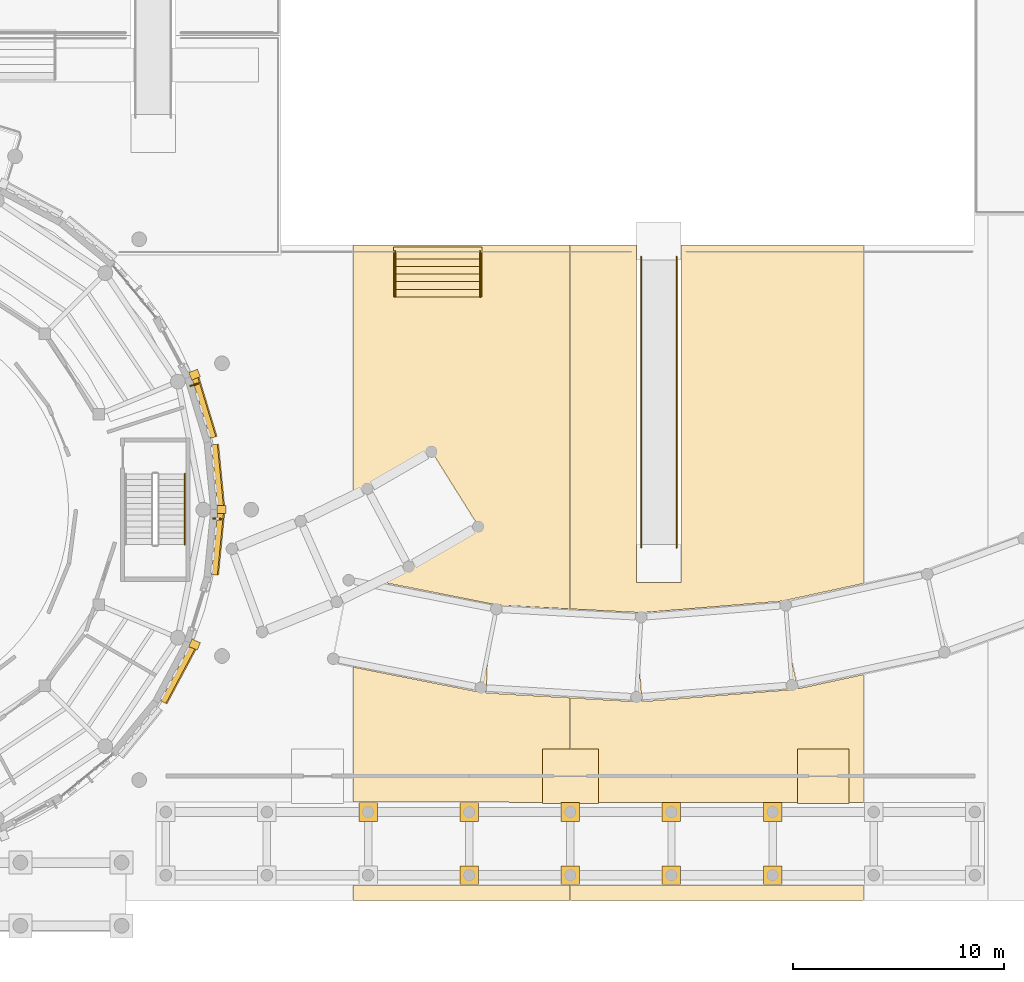
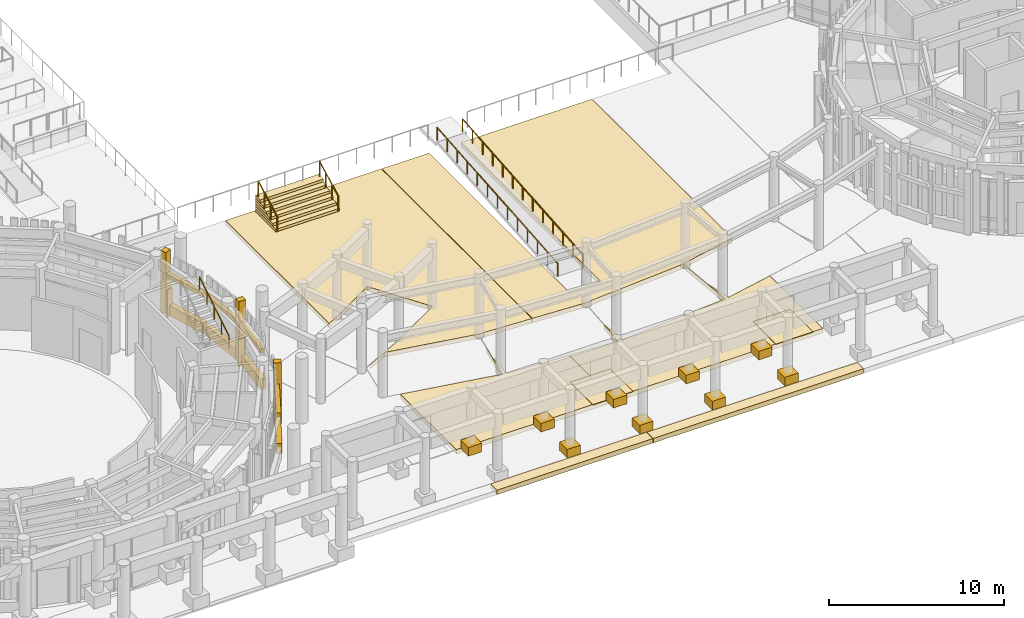
# One storey, part 77 of 94: 33 coverings, 5 railings, 2 shading devices.
"""IFC4 building model written with IfcOpenShell, lengths in metres."""

from ifc_helpers import new_model, si_unit, direction, frame, origin, origin_2d, place, context, subcontext, project, spatial, polyline, rectangle, circle, outline, extrude, material, layer, layer_set, type_object, element, save


model = new_model("IFC4")

# Units and contexts
model_context = context("Model", 3, precision=1e-05, world=origin(), true_north=direction((0.0, 1.0)))
body_context = subcontext(model_context, "Body", "Model", "MODEL_VIEW")
ifc_project = project(units=[si_unit("LENGTHUNIT", "METRE"), si_unit("AREAUNIT", "SQUARE_METRE"), si_unit("VOLUMEUNIT", "CUBIC_METRE"), si_unit("PLANEANGLEUNIT", "RADIAN"), si_unit("MASSUNIT", "GRAM", prefix="KILO")], contexts=[model_context])

# Site, building, storey
site_placement = place(None, origin())
site = spatial("IfcSite", under=ifc_project, at=site_placement, CompositionType="ELEMENT")
building_placement = place(site_placement, origin())
building = spatial("IfcBuilding", under=site, at=building_placement, Name="Aldenvaro Health Centre", CompositionType="ELEMENT")
storey_placement = place(building_placement, origin())
storey = spatial("IfcBuildingStorey", under=building, at=storey_placement, Name="L00", CompositionType="ELEMENT", Elevation=0.0)

# Coverings
ifc_material_1 = material(Name="Honed Sonoran Buff Limestone", Category="masonry")
ifc_layer_1 = layer(ifc_material_1, 0.280029296875, Name="Honed Sonoran Buff Limestone", Category="masonry")
ifc_layer_set_1 = layer_set([ifc_layer_1], Name="Honed Sonoran Buff Limestone")
covering_type_1 = type_object("IfcCoveringType", Name="COV-CRN-STN", PredefinedType="CLADDING", material=ifc_layer_set_1)
covering_1_placement = place(storey_placement, frame((103.5810546875, 18.366943359375, 0.0), z_axis=(0.0, 0.0, 1.0), x_axis=(-0.097994340783, -0.995186971968, 0.0)))
element("IfcCovering", 1, at=covering_1_placement, inside=storey, type_object=covering_type_1, Name="D1 L00 Rusticated Limestone Plinth 1.1", PredefinedType="CLADDING", context=body_context, shape_type="SweptSolid", body=[
    extrude(rectangle(XDim=2.93408203125, YDim=0.340087890625, at=origin_2d()), origin(), (0.0, 0.0, 1.0), 0.719970703125),
])
covering_2_placement = place(storey_placement, frame((103.551025390625, 18.3701171875, 2.5498046875), z_axis=(0.0, 0.0, 1.0), x_axis=(-0.097994340783, -0.995186971968, 0.0)))
element("IfcCovering", 2, at=covering_2_placement, inside=storey, type_object=covering_type_1, Name="D1 L00 Rusticated Limestone Plinth 1.2", PredefinedType="CLADDING", context=body_context, shape_type="SweptSolid", body=[
    extrude(rectangle(XDim=2.93408203125, YDim=0.280029296875, at=origin_2d()), origin(), (0.0, 0.0, 1.0), 0.280029296875),
])
covering_3_placement = place(storey_placement, frame((103.739990234375, 20.0, -0.00048828125), z_axis=(0.0, 0.0, 1.0), x_axis=(1.0, 0.0, 0.0)))
element("IfcCovering", 3, at=covering_3_placement, inside=storey, type_object=covering_type_1, Name="D1 L00 Engaged Classical Limestone Pilaster 01", PredefinedType="CLADDING", context=body_context, shape_type="SweptSolid", body=[
    extrude(rectangle(XDim=0.43994140625, YDim=0.3798828125, at=origin_2d()), origin(), (0.0, 0.0, 1.0), 4.304931640625),
])
covering_4_placement = place(storey_placement, frame((101.694091796875, 12.14599609375, 0.0), z_axis=(0.0, 0.0, 1.0), x_axis=(-0.471556629455, -0.88183578132, 0.0)))
element("IfcCovering", 4, at=covering_4_placement, inside=storey, type_object=covering_type_1, Name="D1 L00 Rusticated Limestone Plinth 3.1", PredefinedType="CLADDING", context=body_context, shape_type="SweptSolid", body=[
    extrude(rectangle(XDim=2.93505859375, YDim=0.340087890625, at=origin_2d()), origin(), (0.0, 0.0, 1.0), 0.719970703125),
])
covering_5_placement = place(storey_placement, frame((101.6669921875, 12.159912109375, 2.5498046875), z_axis=(0.0, 0.0, 1.0), x_axis=(-0.471556629455, -0.88183578132, 0.0)))
element("IfcCovering", 5, at=covering_5_placement, inside=storey, type_object=covering_type_1, Name="D1 L00 Rusticated Limestone Plinth 3.2", PredefinedType="CLADDING", context=body_context, shape_type="SweptSolid", body=[
    extrude(rectangle(XDim=2.93505859375, YDim=0.280029296875, at=origin_2d()), origin(), (0.0, 0.0, 1.0), 0.280029296875),
])
covering_6_placement = place(storey_placement, frame((102.466064453125, 13.593994140625, -0.00048828125), z_axis=(0.0, 0.0, 1.0), x_axis=(0.923883065715, -0.382674902345, 0.0)))
element("IfcCovering", 6, at=covering_6_placement, inside=storey, type_object=covering_type_1, Name="D1 L00 Engaged Classical Limestone Pilaster 02", PredefinedType="CLADDING", context=body_context, shape_type="SweptSolid", body=[
    extrude(rectangle(XDim=0.43994140625, YDim=0.3798828125, at=origin_2d()), origin(), (0.0, 0.0, 1.0), 4.304931640625),
])
covering_7_placement = place(storey_placement, frame((102.944091796875, 24.8359375, 0.0), z_axis=(0.0, 0.0, 1.0), x_axis=(0.290171396605, -0.95697469172, 0.0)))
element("IfcCovering", 7, at=covering_7_placement, inside=storey, type_object=covering_type_1, Name="D1 L00 Rusticated Limestone Plinth 31.1", PredefinedType="CLADDING", context=body_context, shape_type="SweptSolid", body=[
    extrude(rectangle(XDim=2.93505859375, YDim=0.340087890625, at=origin_2d()), origin(), (0.0, 0.0, 1.0), 0.719970703125),
])
covering_8_placement = place(storey_placement, frame((102.9150390625, 24.826904296875, 2.5498046875), z_axis=(0.0, 0.0, 1.0), x_axis=(0.290171396605, -0.95697469172, 0.0)))
element("IfcCovering", 8, at=covering_8_placement, inside=storey, type_object=covering_type_1, Name="D1 L00 Rusticated Limestone Plinth 31.2", PredefinedType="CLADDING", context=body_context, shape_type="SweptSolid", body=[
    extrude(rectangle(XDim=2.93505859375, YDim=0.280029296875, at=origin_2d()), origin(), (0.0, 0.0, 1.0), 0.280029296875),
])
covering_9_placement = place(storey_placement, frame((102.466064453125, 26.406005859375, -0.00048828125), z_axis=(0.0, 0.0, 1.0), x_axis=(0.923883065715, 0.382674902345, 0.0)))
element("IfcCovering", 9, at=covering_9_placement, inside=storey, type_object=covering_type_1, Name="D1 L00 Engaged Classical Limestone Pilaster 16", PredefinedType="CLADDING", context=body_context, shape_type="SweptSolid", body=[
    extrude(rectangle(XDim=0.43994140625, YDim=0.3798828125, at=origin_2d()), origin(), (0.0, 0.0, 1.0), 4.304931640625),
])
covering_10_placement = place(storey_placement, frame((103.5810546875, 21.633056640625, 0.0), z_axis=(0.0, 0.0, 1.0), x_axis=(0.097994340783, -0.995186971968, 0.0)))
element("IfcCovering", 10, at=covering_10_placement, inside=storey, type_object=covering_type_1, Name="D1 L00 Rusticated Limestone Plinth 32.1", PredefinedType="CLADDING", context=body_context, shape_type="SweptSolid", body=[
    extrude(rectangle(XDim=2.93408203125, YDim=0.340087890625, at=origin_2d()), origin(), (0.0, 0.0, 1.0), 0.719970703125),
])
covering_11_placement = place(storey_placement, frame((103.551025390625, 21.6298828125, 2.5498046875), z_axis=(0.0, 0.0, 1.0), x_axis=(0.097994340783, -0.995186971968, 0.0)))
element("IfcCovering", 11, at=covering_11_placement, inside=storey, type_object=covering_type_1, Name="D1 L00 Rusticated Limestone Plinth 32.2", PredefinedType="CLADDING", context=body_context, shape_type="SweptSolid", body=[
    extrude(rectangle(XDim=2.93408203125, YDim=0.280029296875, at=origin_2d()), origin(), (0.0, 0.0, 1.0), 0.280029296875),
])
covering_12_placement = place(storey_placement, frame((0.0, 0.0, -0.320068359375)))
element("IfcCovering", 12, at=covering_12_placement, inside=storey, type_object=covering_type_1, Name="Classical Terrace Grand Stair GST-C2 Solid Stone Carriage", PredefinedType="CLADDING", context=body_context, shape_type="SweptSolid", body=[
    extrude(outline(polyline([(111.89990234375, 30.10009765625), (116.10009765625, 30.10009765625), (116.10009765625, 32.4599609375), (111.89990234375, 32.4599609375), (111.89990234375, 30.10009765625)])), origin(), (0.0, 0.0, 1.0), 0.511962890625),
])
for number, where, z_axis, x_axis, name in (
    (13, (110.699951171875, 5.64990234375, 0.0), (0.0, 0.0, 1.0), (1.0, 0.0, 0.0), "South Stoa Classical Column Plinth 24"),
    (14, (115.5, 2.64990234375, 0.0), (0.0, 0.0, 1.0), (1.0, 0.0, 0.0), "South Stoa Classical Column Plinth 25"),
    (15, (115.5, 5.64990234375, 0.0), (0.0, 0.0, 1.0), (1.0, 0.0, 0.0), "South Stoa Classical Column Plinth 26"),
    (16, (120.300048828125, 2.64990234375, 0.0), (0.0, 0.0, 1.0), (1.0, 0.0, 0.0), "South Stoa Classical Column Plinth 27"),
    (17, (120.300048828125, 5.64990234375, 0.0), (0.0, 0.0, 1.0), (1.0, 0.0, 0.0), "South Stoa Classical Column Plinth 28"),
    (18, (125.10009765625, 2.64990234375, 0.0), (0.0, 0.0, 1.0), (1.0, 0.0, 0.0), "South Stoa Classical Column Plinth 29"),
    (19, (125.10009765625, 5.64990234375, 0.0), (0.0, 0.0, 1.0), (1.0, 0.0, 0.0), "South Stoa Classical Column Plinth 30"),
    (20, (129.89990234375, 2.64990234375, 0.0), (0.0, 0.0, 1.0), (1.0, 0.0, 0.0), "South Stoa Classical Column Plinth 31"),
    (21, (129.89990234375, 5.64990234375, 0.0), (0.0, 0.0, 1.0), (1.0, 0.0, 0.0), "South Stoa Classical Column Plinth 32"),
):
    element("IfcCovering", number, at=place(storey_placement, frame(where, z_axis=z_axis, x_axis=x_axis)), inside=storey, type_object=covering_type_1, Name=name, PredefinedType="CLADDING", context=body_context, shape_type="SweptSolid", body=[
        extrude(rectangle(XDim=0.8798828125, YDim=0.8798828125, at=origin_2d()), origin(), (0.0, 0.0, 1.0), 0.60009765625),
    ])
ifc_material_2 = material(Name="Honed Arizona Limestone Walk", Category="masonry")
ifc_layer_2 = layer(ifc_material_2, 0.06005859375, Name="Honed Arizona Limestone Walk", Category="masonry")
ifc_layer_set_2 = layer_set([ifc_layer_2], Name="Honed Arizona Limestone Walk")
covering_type_2 = type_object("IfcCoveringType", Name="COV-GDN-PATH", PredefinedType="FLOORING", material=ifc_layer_set_2)
covering_13_placement = place(storey_placement, origin())
element("IfcCovering", 22, at=covering_13_placement, inside=storey, type_object=covering_type_2, Name="Therapy Garden Security Gate Threshold Apron 5", PredefinedType="FLOORING", context=body_context, shape_type="SweptSolid", body=[
    extrude(outline(polyline([(118.97607421875, 6.050048828125), (121.6259765625, 6.050048828125), (121.6259765625, 8.64990234375), (118.97607421875, 8.64990234375), (118.97607421875, 6.050048828125)])), origin(), (0.0, 0.0, 1.0), 0.0400390625),
])
covering_14_placement = place(storey_placement, origin())
element("IfcCovering", 23, at=covering_14_placement, inside=storey, type_object=covering_type_2, Name="Therapy Garden Security Gate Threshold Apron 6", PredefinedType="FLOORING", context=body_context, shape_type="SweptSolid", body=[
    extrude(outline(polyline([(131.075927734375, 6.050048828125), (133.52587890625, 6.050048828125), (133.52587890625, 8.64990234375), (131.075927734375, 8.64990234375), (131.075927734375, 6.050048828125)])), origin(), (0.0, 0.0, 1.0), 0.0400390625),
])
ifc_material_3 = material(Name="Honed Sonoran Buff Travertine", Category="masonry")
ifc_layer_3 = layer(ifc_material_3, 0.320068359375, Name="Honed Sonoran Buff Travertine", Category="masonry")
ifc_layer_set_3 = layer_set([ifc_layer_3], Name="Honed Sonoran Buff Travertine")
covering_type_3 = type_object("IfcCoveringType", Name="COV-POD-320", PredefinedType="FLOORING", material=ifc_layer_set_3)
covering_15_placement = place(storey_placement, frame((0.0, 0.0, -0.320068359375)))
element("IfcCovering", 24, at=covering_15_placement, inside=storey, type_object=covering_type_3, Name="South Street Entrance Stylobate Forecourt Section 8", PredefinedType="FLOORING", context=body_context, shape_type="SweptSolid", body=[
    extrude(outline(polyline([(120.283935546875, 32.550048828125), (120.283935546875, 15.291015625), (116.843994140625, 15.472900390625), (111.257080078125, 16.5859375), (109.985107421875, 15.9619140625), (112.64208984375, 17.27294921875), (115.9541015625, 19.196044921875), (113.708984375, 22.778076171875), (110.6669921875, 21.01806640625), (109.985107421875, 20.68505859375), (109.985107421875, 32.550048828125), (120.283935546875, 32.550048828125)])), origin(), (0.0, 0.0, 1.0), 0.320068359375),
])
covering_16_placement = place(storey_placement, frame((0.0, 0.0, -0.320068359375)))
element("IfcCovering", 25, at=covering_16_placement, inside=storey, type_object=covering_type_3, Name="South Street Entrance Stylobate Forecourt Section 9", PredefinedType="FLOORING", context=body_context, shape_type="SweptSolid", body=[
    extrude(outline(polyline([(116.02001953125, 11.3330078125), (116.573974609375, 14.095947265625), (116.383056640625, 13.1201171875), (116.2958984375, 11.297119140625), (120.283935546875, 11.068115234375), (120.283935546875, 6.111083984375), (109.985107421875, 6.115966796875), (109.985107421875, 12.527099609375), (116.02001953125, 11.3330078125)])), origin(), (0.0, 0.0, 1.0), 0.320068359375),
])
covering_17_placement = place(storey_placement, frame((0.0, 0.0, -0.320068359375)))
element("IfcCovering", 26, at=covering_17_placement, inside=storey, type_object=covering_type_3, Name="South Street Entrance Stylobate Forecourt Section 10", PredefinedType="FLOORING", context=body_context, shape_type="SweptSolid", body=[
    extrude(outline(polyline([(120.283935546875, 2.18310546875), (120.283935546875, 1.449951171875), (109.985107421875, 1.449951171875), (109.985107421875, 2.18408203125), (120.283935546875, 2.18310546875)])), origin(), (0.0, 0.0, 1.0), 0.320068359375),
])
covering_18_placement = place(storey_placement, frame((0.0, 0.0, -0.320068359375)))
element("IfcCovering", 27, at=covering_18_placement, inside=storey, type_object=covering_type_3, Name="South Street Entrance Stylobate Forecourt Section 11", PredefinedType="FLOORING", context=body_context, shape_type="SweptSolid", body=[
    extrude(outline(polyline([(125.550048828125, 16.5400390625), (125.56005859375, 32.550048828125), (134.2109375, 32.550048828125), (134.2109375, 16.5), (130.528076171875, 15.698974609375), (130.7119140625, 13.27294921875), (131.10205078125, 11.498046875), (134.2109375, 12.172119140625), (134.2109375, 6.10498046875), (120.31396484375, 6.111083984375), (120.31396484375, 11.06591796875), (123.43408203125, 10.886962890625), (123.552978515625, 12.708984375), (123.7109375, 10.888916015625), (130.85107421875, 11.458984375), (130.513916015625, 15.674072265625), (123.68701171875, 15.112060546875), (120.31396484375, 15.2900390625), (120.31396484375, 32.550048828125), (123.43994140625, 32.550048828125), (123.43994140625, 16.549072265625), (125.550048828125, 16.5400390625)])), origin(), (0.0, 0.0, 1.0), 0.320068359375),
])
covering_19_placement = place(storey_placement, frame((0.0, 0.0, -0.320068359375)))
element("IfcCovering", 28, at=covering_19_placement, inside=storey, type_object=covering_type_3, Name="South Street Entrance Stylobate Forecourt Section 12", PredefinedType="FLOORING", context=body_context, shape_type="SweptSolid", body=[
    extrude(outline(polyline([(120.31396484375, 1.449951171875), (120.31396484375, 2.18310546875), (134.2109375, 2.180908203125), (134.2109375, 1.449951171875), (120.31396484375, 1.449951171875)])), origin(), (0.0, 0.0, 1.0), 0.320068359375),
])
covering_20_placement = place(storey_placement, frame((0.0, 0.0, 0.19189453125)))
element("IfcCovering", 29, at=covering_20_placement, inside=storey, type_object=covering_type_3, Name="Classical Terrace Grand Stair GST-C2 Stone Step 2", PredefinedType="FLOORING", context=body_context, shape_type="SweptSolid", body=[
    extrude(outline(polyline([(111.89990234375, 30.4599609375), (116.10009765625, 30.4599609375), (116.10009765625, 32.4599609375), (111.89990234375, 32.4599609375), (111.89990234375, 30.4599609375)])), origin(), (0.0, 0.0, 1.0), 0.191162109375),
])
covering_21_placement = place(storey_placement, frame((0.0, 0.0, 0.383056640625)))
element("IfcCovering", 30, at=covering_21_placement, inside=storey, type_object=covering_type_3, Name="Classical Terrace Grand Stair GST-C2 Stone Step 3", PredefinedType="FLOORING", context=body_context, shape_type="SweptSolid", body=[
    extrude(outline(polyline([(111.89990234375, 30.820068359375), (116.10009765625, 30.820068359375), (116.10009765625, 32.4599609375), (111.89990234375, 32.4599609375), (111.89990234375, 30.820068359375)])), origin(), (0.0, 0.0, 1.0), 0.19189453125),
])
covering_22_placement = place(storey_placement, frame((0.0, 0.0, 0.574951171875)))
element("IfcCovering", 31, at=covering_22_placement, inside=storey, type_object=covering_type_3, Name="Classical Terrace Grand Stair GST-C2 Stone Step 4", PredefinedType="FLOORING", context=body_context, shape_type="SweptSolid", body=[
    extrude(outline(polyline([(111.89990234375, 31.179931640625), (116.10009765625, 31.179931640625), (116.10009765625, 32.4599609375), (111.89990234375, 32.4599609375), (111.89990234375, 31.179931640625)])), origin(), (0.0, 0.0, 1.0), 0.192138671875),
])
covering_23_placement = place(storey_placement, frame((0.0, 0.0, 0.76708984375)))
element("IfcCovering", 32, at=covering_23_placement, inside=storey, type_object=covering_type_3, Name="Classical Terrace Grand Stair GST-C2 Stone Step 5", PredefinedType="FLOORING", context=body_context, shape_type="SweptSolid", body=[
    extrude(outline(polyline([(111.89990234375, 31.5400390625), (116.10009765625, 31.5400390625), (116.10009765625, 32.4599609375), (111.89990234375, 32.4599609375), (111.89990234375, 31.5400390625)])), origin(), (0.0, 0.0, 1.0), 0.19091796875),
])
covering_24_placement = place(storey_placement, frame((0.0, 0.0, 0.9580078125)))
element("IfcCovering", 33, at=covering_24_placement, inside=storey, type_object=covering_type_3, Name="Classical Terrace Grand Stair GST-C2 Stone Step 6", PredefinedType="FLOORING", context=body_context, shape_type="SweptSolid", body=[
    extrude(outline(polyline([(111.89990234375, 31.89990234375), (116.10009765625, 31.89990234375), (116.10009765625, 32.4599609375), (111.89990234375, 32.4599609375), (111.89990234375, 31.89990234375)])), origin(), (0.0, 0.0, 1.0), 0.19189453125),
])

# Railings
ifc_material_4 = material(Name="Painted Architectural Steel", Category="steel")
railing_type_1 = type_object("IfcRailingType", Name="RL-BAL-110", PredefinedType="GUARDRAIL", material=ifc_material_4)
for number, where, name in (
    (34, (111.97998046875, 30.10009765625, 0.0), "Classical Terrace Grand Stair GST-C2 Balustrade W"),
    (35, (116.02001953125, 30.10009765625, 0.0), "Classical Terrace Grand Stair GST-C2 Balustrade E"),
):
    element("IfcRailing", number, at=place(storey_placement, frame(where)), inside=storey, type_object=railing_type_1, Name=name, PredefinedType="GUARDRAIL", context=body_context, shape_type="SweptSolid", body=[
        extrude(circle(Radius=0.02392578125, at=origin_2d()), frame((0.0, 0.0, 1.076171875), z_axis=(0.0, 0.882700700626, 0.469935605284), x_axis=(-1.0, 0.0, 0.0)), (0.0, 0.0, 1.0), 2.447021484375),
        extrude(circle(Radius=0.02099609375, at=origin_2d()), origin(), (0.0, 0.0, 1.0), 1.052001953125),
        extrude(circle(Radius=0.02099609375, at=origin_2d()), frame((0.0, 0.719970703125, 0.38330078125)), (0.0, 0.0, 1.0), 1.052001953125),
        extrude(circle(Radius=0.02099609375, at=origin_2d()), frame((0.0, 1.43994140625, 0.7666015625)), (0.0, 0.0, 1.0), 1.052001953125),
        extrude(circle(Radius=0.02099609375, at=origin_2d()), frame((0.0, 2.159912109375, 1.14990234375)), (0.0, 0.0, 1.0), 1.052001953125),
    ])
railing_type_2 = type_object("IfcRailingType", Name="RL-HND-092", PredefinedType="HANDRAIL", material=ifc_material_4)
railing_1_placement = place(storey_placement, frame((123.659912109375, 18.199951171875, 0.0)))
element("IfcRailing", 36, at=railing_1_placement, inside=storey, type_object=railing_type_2, Name="Stepped Foothill Ramp 3 Handrail L", PredefinedType="HANDRAIL", context=body_context, shape_type="SweptSolid", body=[
    extrude(circle(Radius=0.02392578125, at=origin_2d()), frame((0.0, 0.0, 0.89599609375), z_axis=(0.0, 0.996546366156, 0.083038184601), x_axis=(-1.0, 0.0, 0.0)), (0.0, 0.0, 1.0), 13.847900390625),
    extrude(circle(Radius=0.02099609375, at=origin_2d()), origin(), (0.0, 0.0, 1.0), 0.871826171875),
    extrude(circle(Radius=0.02099609375, at=origin_2d()), frame((0.0, 1.14990234375, 0.095703125)), (0.0, 0.0, 1.0), 0.871826171875),
    extrude(circle(Radius=0.02099609375, at=origin_2d()), frame((0.0, 2.300048828125, 0.191650390625)), (0.0, 0.0, 1.0), 0.871826171875),
    extrude(circle(Radius=0.02099609375, at=origin_2d()), frame((0.0, 3.449951171875, 0.28759765625)), (0.0, 0.0, 1.0), 0.871826171875),
    extrude(circle(Radius=0.02099609375, at=origin_2d()), frame((0.0, 4.60009765625, 0.38330078125)), (0.0, 0.0, 1.0), 0.871826171875),
    extrude(circle(Radius=0.02099609375, at=origin_2d()), frame((0.0, 5.75, 0.47900390625)), (0.0, 0.0, 1.0), 0.871826171875),
    extrude(circle(Radius=0.02099609375, at=origin_2d()), frame((0.0, 6.89990234375, 0.574951171875)), (0.0, 0.0, 1.0), 0.871826171875),
    extrude(circle(Radius=0.02099609375, at=origin_2d()), frame((0.0, 8.050048828125, 0.6708984375)), (0.0, 0.0, 1.0), 0.871826171875),
    extrude(circle(Radius=0.02099609375, at=origin_2d()), frame((0.0, 9.199951171875, 0.7666015625)), (0.0, 0.0, 1.0), 0.871826171875),
    extrude(circle(Radius=0.02099609375, at=origin_2d()), frame((0.0, 10.35009765625, 0.8623046875)), (0.0, 0.0, 1.0), 0.871826171875),
    extrude(circle(Radius=0.02099609375, at=origin_2d()), frame((0.0, 11.5, 0.958251953125)), (0.0, 0.0, 1.0), 0.871826171875),
    extrude(circle(Radius=0.02099609375, at=origin_2d()), frame((0.0, 12.650146484375, 1.05419921875)), (0.0, 0.0, 1.0), 0.871826171875),
    extrude(circle(Radius=0.02099609375, at=origin_2d()), frame((0.0, 13.800048828125, 1.14990234375)), (0.0, 0.0, 1.0), 0.871826171875),
])
railing_2_placement = place(storey_placement, frame((125.340087890625, 18.199951171875, 0.0)))
element("IfcRailing", 37, at=railing_2_placement, inside=storey, type_object=railing_type_2, Name="Stepped Foothill Ramp 3 Handrail R", PredefinedType="HANDRAIL", context=body_context, shape_type="SweptSolid", body=[
    extrude(circle(Radius=0.02392578125, at=origin_2d()), frame((0.0, 0.0, 0.89599609375), z_axis=(0.0, 0.996546366156, 0.083038184601), x_axis=(-1.0, 0.0, 0.0)), (0.0, 0.0, 1.0), 13.847900390625),
    extrude(circle(Radius=0.02099609375, at=origin_2d()), origin(), (0.0, 0.0, 1.0), 0.871826171875),
    extrude(circle(Radius=0.02099609375, at=origin_2d()), frame((0.0, 1.14990234375, 0.095703125)), (0.0, 0.0, 1.0), 0.871826171875),
    extrude(circle(Radius=0.02099609375, at=origin_2d()), frame((0.0, 2.300048828125, 0.191650390625)), (0.0, 0.0, 1.0), 0.871826171875),
    extrude(circle(Radius=0.02099609375, at=origin_2d()), frame((0.0, 3.449951171875, 0.28759765625)), (0.0, 0.0, 1.0), 0.871826171875),
    extrude(circle(Radius=0.02099609375, at=origin_2d()), frame((0.0, 4.60009765625, 0.38330078125)), (0.0, 0.0, 1.0), 0.871826171875),
    extrude(circle(Radius=0.02099609375, at=origin_2d()), frame((0.0, 5.75, 0.47900390625)), (0.0, 0.0, 1.0), 0.871826171875),
    extrude(circle(Radius=0.02099609375, at=origin_2d()), frame((0.0, 6.89990234375, 0.574951171875)), (0.0, 0.0, 1.0), 0.871826171875),
    extrude(circle(Radius=0.02099609375, at=origin_2d()), frame((0.0, 8.050048828125, 0.6708984375)), (0.0, 0.0, 1.0), 0.871826171875),
    extrude(circle(Radius=0.02099609375, at=origin_2d()), frame((0.0, 9.199951171875, 0.7666015625)), (0.0, 0.0, 1.0), 0.871826171875),
    extrude(circle(Radius=0.02099609375, at=origin_2d()), frame((0.0, 10.35009765625, 0.8623046875)), (0.0, 0.0, 1.0), 0.871826171875),
    extrude(circle(Radius=0.02099609375, at=origin_2d()), frame((0.0, 11.5, 0.958251953125)), (0.0, 0.0, 1.0), 0.871826171875),
    extrude(circle(Radius=0.02099609375, at=origin_2d()), frame((0.0, 12.650146484375, 1.05419921875)), (0.0, 0.0, 1.0), 0.871826171875),
    extrude(circle(Radius=0.02099609375, at=origin_2d()), frame((0.0, 13.800048828125, 1.14990234375)), (0.0, 0.0, 1.0), 0.871826171875),
])
railing_type_3 = type_object("IfcRailingType", Name="RL-HND-INT", PredefinedType="HANDRAIL", material=ifc_material_4)
railing_3_placement = place(storey_placement, frame((102.0, 18.340087890625, 2.449951171875)))
element("IfcRailing", 38, at=railing_3_placement, inside=storey, type_object=railing_type_3, Name="L00 ST-02 stair handrail 2", PredefinedType="HANDRAIL", context=body_context, shape_type="SweptSolid", body=[
    extrude(circle(Radius=0.02392578125, at=origin_2d()), frame((0.0, 0.0, 0.8759765625), z_axis=(0.0, 0.847977533471, 0.530032171408), x_axis=(-1.0, 0.0, 0.0)), (0.0, 0.0, 1.0), 3.962158203125),
    extrude(circle(Radius=0.02099609375, at=origin_2d()), origin(), (0.0, 0.0, 1.0), 0.851806640625),
    extrude(circle(Radius=0.02099609375, at=origin_2d()), frame((0.0, 0.83984375, 0.52490234375)), (0.0, 0.0, 1.0), 0.851806640625),
    extrude(circle(Radius=0.02099609375, at=origin_2d()), frame((0.0, 1.679931640625, 1.050048828125)), (0.0, 0.0, 1.0), 0.851806640625),
    extrude(circle(Radius=0.02099609375, at=origin_2d()), frame((0.0, 2.52001953125, 1.5751953125)), (0.0, 0.0, 1.0), 0.851806640625),
    extrude(circle(Radius=0.02099609375, at=origin_2d()), frame((0.0, 3.35986328125, 2.10009765625)), (0.0, 0.0, 1.0), 0.851806640625),
])

# Shading devices
ifc_material_5 = material(Name="Douglas Fir Exterior Glulam GL28h", Category="wood")
shading_device_type = type_object("IfcShadingDeviceType", Name="SHD-FIN-190", PredefinedType="USERDEFINED", material=ifc_material_5)
for number, where, z_axis, x_axis, name in (
    (39, (103.532958984375, 19.56494140625, -0.02001953125), (0.0, 0.0, 1.0), (-0.097994340783, -0.995186971968, 0.0), "D1 L00 Douglas fir fin 1.1"),
    (40, (102.44091796875, 25.925048828125, -0.02001953125), (0.0, 0.0, 1.0), (0.290171396605, -0.95697469172, 0.0), "D1 L00 Douglas fir fin 31.1"),
):
    element("IfcShadingDevice", number, at=place(storey_placement, frame(where, z_axis=z_axis, x_axis=x_axis)), inside=storey, type_object=shading_device_type, Name=name, ObjectType="FIN", PredefinedType="USERDEFINED", context=body_context, shape_type="SweptSolid", body=[
        extrude(rectangle(XDim=0.06494140625, YDim=0.419921875, at=origin_2d()), origin(), (0.0, 0.0, 1.0), 1.89990234375),
    ])

save(model, "model.ifc")
